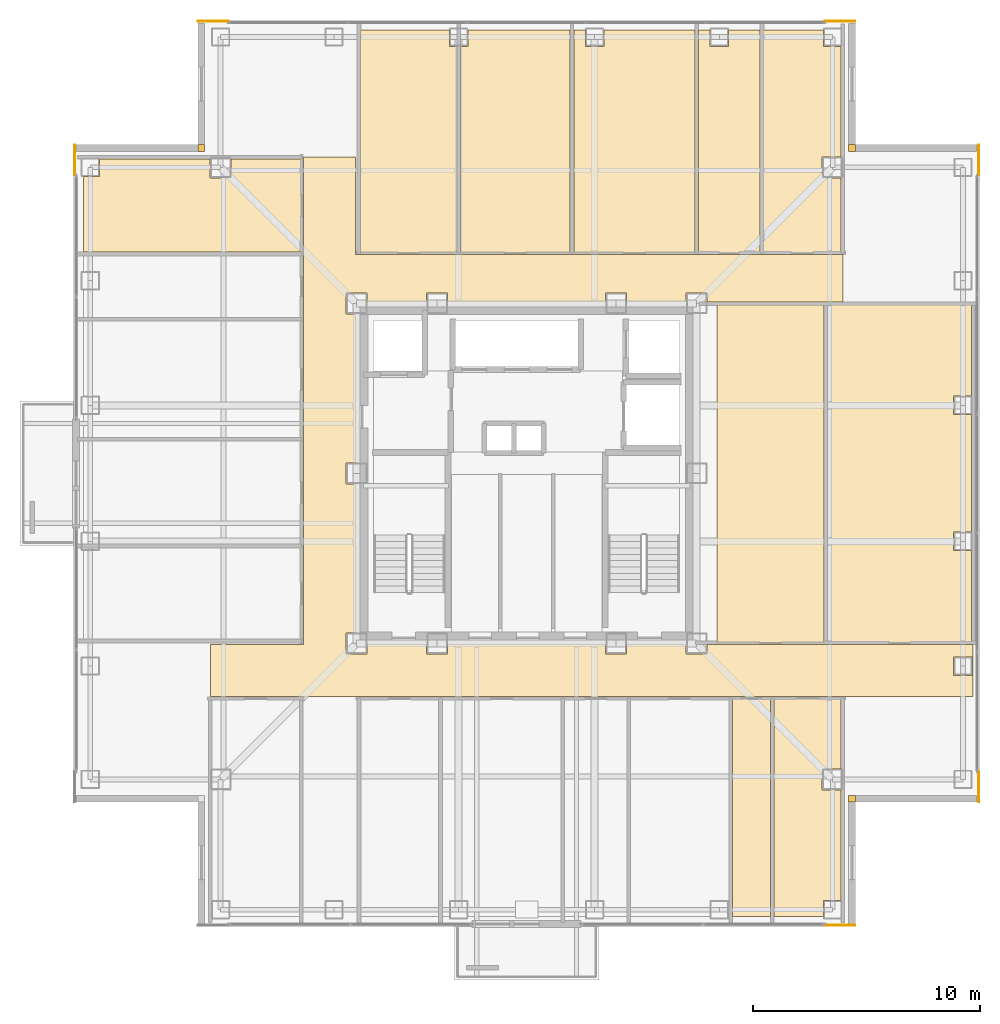
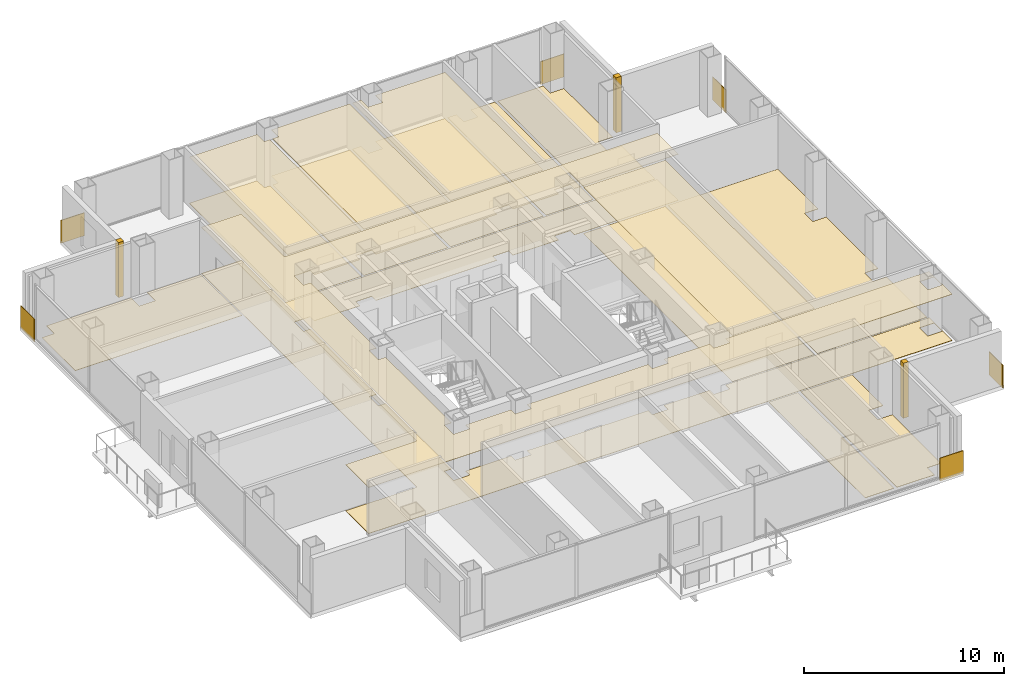
# One storey, part 16 of 16: 25 coverings.
"""IFC4 building model written with IfcOpenShell, lengths in metres."""

import ifcopenshell
import ifcopenshell.guid

model = None  # the IFC model being written
_history = None  # IfcOwnerHistory: only IFC2X3 demands one
_inside = {}  # id of a spatial element -> (the spatial element, [elements in it])
_under = {}  # id of a project, library or spatial element -> (it, [spatial elements below it])
_declared = {}  # id of a project -> (the project, [libraries it declares])
_typed = {}  # id of a type object -> (the type object, [elements of that type])
_made_of = {}  # id of a material, layer set ... -> (it, [elements and type objects made of it])


def new_model(schema):
    """Start an empty IFC model of exactly this schema.

    Asked for "IFC4X3", IfcOpenShell would pick the latest addendum, in which some entities
    have other attributes; the version numbers below select the first issue.
    IFC2X3 requires an IfcOwnerHistory on every rooted entity: one is made here for all.
    """
    global model, _history
    if schema == "IFC4X3":
        model = ifcopenshell.file(schema_version=(4, 3, 0, 0))
    else:
        model = ifcopenshell.file(schema=schema)
    _inside.clear()
    _under.clear()
    _declared.clear()
    _typed.clear()
    _made_of.clear()
    _history = None
    if model.schema == "IFC2X3":
        org = make("IfcOrganization", Name="unknown")
        user = make(
            "IfcPersonAndOrganization",
            ThePerson=make("IfcPerson", FamilyName="unknown"),
            TheOrganization=org,
        )
        app = make(
            "IfcApplication",
            ApplicationDeveloper=org,
            Version="unknown",
            ApplicationFullName="unknown",
            ApplicationIdentifier="unknown",
        )
        _history = make(
            "IfcOwnerHistory",
            OwningUser=user,
            OwningApplication=app,
            ChangeAction="ADDED",
            CreationDate=0,
        )
    return model


def make(cls, **values):
    """One entity of the class cls with the attributes given. An attribute that is None is left unset."""
    return model.create_entity(
        cls, **{name: value for name, value in values.items() if value is not None}
    )


def rooted(cls, **values):
    """An entity with a GlobalId (a new one), such as an element, a storey or a relation."""
    return make(cls, GlobalId=ifcopenshell.guid.new(), OwnerHistory=_history, **values)


def si_unit(unit_type, name, prefix=None):
    """IfcSIUnit, for example si_unit("LENGTHUNIT", "METRE", prefix="MILLI")."""
    return make("IfcSIUnit", UnitType=unit_type, Prefix=prefix, Name=name)


def assignment(units):
    """IfcUnitAssignment: the units of a project."""
    return None if units is None else make("IfcUnitAssignment", Units=units)


def point(xyz):
    """IfcCartesianPoint."""
    return None if xyz is None else make("IfcCartesianPoint", Coordinates=xyz)


def direction(xyz):
    """IfcDirection."""
    return None if xyz is None else make("IfcDirection", DirectionRatios=xyz)


def frame(location, z_axis=None, x_axis=None):
    """IfcAxis2Placement3D, a coordinate frame: its origin and axes. An axis left out is left unset."""
    return make(
        "IfcAxis2Placement3D",
        Location=point(location),
        Axis=direction(z_axis),
        RefDirection=direction(x_axis),
    )


def frame_2d(location, x_axis=None):
    """IfcAxis2Placement2D, a coordinate frame in the plane: its origin and x axis."""
    return make(
        "IfcAxis2Placement2D", Location=point(location), RefDirection=direction(x_axis)
    )


def origin():
    """The frame at (0, 0, 0) with its axes left unset."""
    return frame((0.0, 0.0, 0.0))


def place(relative_to, where):
    """IfcLocalPlacement: puts the frame where relative to a parent placement (None: the world)."""
    return make(
        "IfcLocalPlacement", PlacementRelTo=relative_to, RelativePlacement=where
    )


def context(
    kind, dimensions, precision=None, world=None, true_north=None, identifier=None
):
    """IfcGeometricRepresentationContext, for example the 3D "Model" context."""
    return make(
        "IfcGeometricRepresentationContext",
        ContextIdentifier=identifier,
        ContextType=kind,
        CoordinateSpaceDimension=dimensions,
        Precision=precision,
        WorldCoordinateSystem=world,
        TrueNorth=true_north,
    )


def subcontext(parent, identifier, kind, view, scale=None):
    """IfcGeometricRepresentationSubContext, for example "Body" below "Model"."""
    return make(
        "IfcGeometricRepresentationSubContext",
        ContextIdentifier=identifier,
        ContextType=kind,
        ParentContext=parent,
        TargetScale=scale,
        TargetView=view,
    )


def project(units=None, contexts=None):
    """IfcProject with its units and contexts."""
    return rooted(
        "IfcProject",
        Name="project",
        RepresentationContexts=contexts,
        UnitsInContext=assignment(units),
    )


def spatial(cls, under=None, at=None, **own):
    """A site, building, storey or space (cls), placed at a placement, below another one or the project."""
    s = rooted(cls, ObjectPlacement=at, **own)
    if under is not None:
        _under.setdefault(under.id(), (under, []))[1].append(s)
    return s


def polyline(points):
    """IfcPolyline through the points."""
    return make("IfcPolyline", Points=[point(p) for p in points])


def profile(cls, at=None, kind="AREA", **sizes):
    """A parametric profile (cls). Its sizes go by their IFC names, for example OverallWidth=200.0."""
    return make(cls, ProfileType=kind, Position=at, **sizes)


def rectangle(**sizes):
    """IfcRectangleProfileDef."""
    return profile("IfcRectangleProfileDef", **sizes)


def outline(outer, holes=None, kind="AREA"):
    """IfcArbitraryClosedProfileDef: a profile drawn as a closed curve; with holes, ...WithVoids."""
    if holes is None:
        return make("IfcArbitraryClosedProfileDef", ProfileType=kind, OuterCurve=outer)
    return make(
        "IfcArbitraryProfileDefWithVoids",
        ProfileType=kind,
        OuterCurve=outer,
        InnerCurves=holes,
    )


def extrude(swept, where, along, depth):
    """IfcExtrudedAreaSolid: the profile swept, set in the frame where, extruded along a direction by depth."""
    return make(
        "IfcExtrudedAreaSolid",
        SweptArea=swept,
        Position=where,
        ExtrudedDirection=direction(along),
        Depth=depth,
    )


def shape(context_of_items, identifier, shape_type, items):
    """IfcShapeRepresentation: the items that make up one representation, for example the "Body"."""
    return make(
        "IfcShapeRepresentation",
        ContextOfItems=context_of_items,
        RepresentationIdentifier=identifier,
        RepresentationType=shape_type,
        Items=items,
    )


def material(Name=None, Category=None):
    """IfcMaterial."""
    return make("IfcMaterial", Name=Name, Category=Category)


def layer(
    of_material, thickness, ventilated=None, Name=None, Category=None, Priority=None
):
    """IfcMaterialLayer: one layer of a wall or slab, of a material (None: an air gap)."""
    return make(
        "IfcMaterialLayer",
        Material=of_material,
        LayerThickness=thickness,
        IsVentilated=ventilated,
        Name=Name,
        Category=Category,
        Priority=Priority,
    )


def layer_set(layers, Name=None):
    """IfcMaterialLayerSet."""
    return make("IfcMaterialLayerSet", MaterialLayers=layers, LayerSetName=Name)


def made_of(thing, what):
    """Note that an element or type object is made of a material, layer set ...; save() writes the relation."""
    if what is not None:
        _made_of.setdefault(what.id(), (what, []))[1].append(thing)
    return thing


def type_object(cls, material=None, **own):
    """A type object (cls), such as IfcWallType, which elements share."""
    return made_of(rooted(cls, **own), material)


def element(
    cls,
    number,
    at=None,
    inside=None,
    cuts=None,
    type_object=None,
    material=None,
    context=None,
    identifier="Body",
    shape_type=None,
    held_by="IfcProductDefinitionShape",
    body=None,
    shapes=None,
    **own,
):
    """One element of the class cls, such as IfcWall. Its Tag is "e" and its number.

    at: its placement. inside: the storey or other place that contains it. cuts: it is an
    opening in that element (IfcRelVoidsElement). A single representation is given by context,
    identifier, shape_type and body (its items); several are given by shapes. held_by: the class
    of the entity that holds the representations. save() writes the other relations.
    """
    e = rooted(cls, Tag="e%d" % number, ObjectPlacement=at, **own)
    if body is not None:
        shapes = [shape(context, identifier, shape_type, body)]
    if shapes is not None:
        e.Representation = make(held_by, Representations=shapes)
    if inside is not None:
        _inside.setdefault(inside.id(), (inside, []))[1].append(e)
    if cuts is not None:
        rooted(
            "IfcRelVoidsElement", RelatingBuildingElement=cuts, RelatedOpeningElement=e
        )
    if type_object is not None:
        _typed.setdefault(type_object.id(), (type_object, []))[1].append(e)
    return made_of(e, material)


def aggregate(whole, parts):
    """IfcRelAggregates: a whole, such as a stair, and the parts it consists of."""
    return rooted("IfcRelAggregates", RelatingObject=whole, RelatedObjects=parts)


def save(model, path):
    """Write the relations noted so far, then the file.

    IfcRelAggregates (storeys below a building ...), IfcRelContainedInSpatialStructure (elements
    in a storey), IfcRelDefinesByType, IfcRelAssociatesMaterial and IfcRelDeclares: one each for
    every whole, place, type object, material and project.
    """
    for whole, parts in _under.values():
        aggregate(whole, parts)
    for where, things in _inside.values():
        rooted(
            "IfcRelContainedInSpatialStructure",
            RelatedElements=things,
            RelatingStructure=where,
        )
    for kind, things in _typed.values():
        rooted("IfcRelDefinesByType", RelatedObjects=things, RelatingType=kind)
    for what, things in _made_of.values():
        rooted("IfcRelAssociatesMaterial", RelatedObjects=things, RelatingMaterial=what)
    for by, libraries in _declared.values():
        rooted("IfcRelDeclares", RelatingContext=by, RelatedDefinitions=libraries)
    model.write(path)


model = new_model("IFC4")

# Units and contexts
model_context = context("Model", 3, precision=1e-05, world=origin(), true_north=direction((0.0, 1.0)))
body_context = subcontext(model_context, "Body", "Model", "MODEL_VIEW")
ifc_project = project(units=[si_unit("LENGTHUNIT", "METRE"), si_unit("AREAUNIT", "SQUARE_METRE"), si_unit("VOLUMEUNIT", "CUBIC_METRE"), si_unit("PLANEANGLEUNIT", "RADIAN"), si_unit("MASSUNIT", "GRAM", prefix="KILO")], contexts=[model_context])

# Site, building, storey
site_placement = place(None, origin())
site = spatial("IfcSite", under=ifc_project, at=site_placement, CompositionType="ELEMENT")
building_placement = place(site_placement, origin())
building = spatial("IfcBuilding", under=site, at=building_placement, Name="Trevonay Congress Spire", CompositionType="ELEMENT")
storey_placement = place(building_placement, frame((0.0, 0.0, 177.0)))
storey = spatial("IfcBuildingStorey", under=building, at=storey_placement, Name="L45", CompositionType="ELEMENT", Elevation=177.0)

# Coverings
ifc_material_1 = material(Name="Acoustic Mineral Fibre Board", Category="gypsum")
ifc_layer_1 = layer(ifc_material_1, 0.02490234375, Name="Acoustic Mineral Fibre Board")
ifc_layer_set_1 = layer_set([ifc_layer_1], Name="Acoustic Mineral Fibre Board")
covering_type_1 = type_object("IfcCoveringType", Name="COV-CEIL-ACOUSTIC", PredefinedType="CEILING", material=ifc_layer_set_1)
covering_1_placement = place(storey_placement, frame((0.0, 0.0, 2.81005859375)))
element("IfcCovering", 1, at=covering_1_placement, inside=storey, type_object=covering_type_1, Name="L45 Cruciform Boulevard Corridor acoustic suspended ceiling", PredefinedType="CEILING", context=body_context, shape_type="SweptSolid", body=[
    extrude(outline(polyline([(19.699951171875, -7.550048828125), (19.699951171875, -9.85009765625), (-13.949951171875, -9.85009765625), (-13.949951171875, -7.550048828125), (-9.85009765625, -7.550048828125), (-9.85009765625, 13.949951171875), (-7.550048828125, 13.949951171875), (-7.550048828125, 9.64990234375), (13.949951171875, 9.64990234375), (13.949951171875, 7.550048828125), (7.9599609375, 7.550048828125), (7.9599609375, 7.9599609375), (7.0400390625, 7.9599609375), (7.0400390625, 7.550048828125), (4.409912109375, 7.550048828125), (4.409912109375, 7.9599609375), (3.489990234375, 7.9599609375), (3.489990234375, 7.550048828125), (-3.489990234375, 7.550048828125), (-3.489990234375, 7.9599609375), (-4.409912109375, 7.9599609375), (-4.409912109375, 7.550048828125), (-7.0400390625, 7.550048828125), (-7.0400390625, 7.9599609375), (-7.9599609375, 7.9599609375), (-7.9599609375, 7.0400390625), (-7.550048828125, 7.0400390625), (-7.550048828125, 0.4599609375), (-7.9599609375, 0.4599609375), (-7.9599609375, -0.4599609375), (-7.550048828125, -0.4599609375), (-7.550048828125, -7.0400390625), (-7.9599609375, -7.0400390625), (-7.9599609375, -7.9599609375), (-7.0400390625, -7.9599609375), (-7.0400390625, -7.550048828125), (-4.409912109375, -7.550048828125), (-4.409912109375, -7.9599609375), (-3.489990234375, -7.9599609375), (-3.489990234375, -7.550048828125), (3.489990234375, -7.550048828125), (3.489990234375, -7.9599609375), (4.409912109375, -7.9599609375), (4.409912109375, -7.550048828125), (7.0400390625, -7.550048828125), (7.0400390625, -7.9599609375), (7.9599609375, -7.9599609375), (7.9599609375, -7.550048828125), (19.699951171875, -7.550048828125)]), holes=[polyline([(19.659912109375, -8.090087890625), (18.840087890625, -8.090087890625), (18.840087890625, -8.909912109375), (19.659912109375, -8.909912109375), (19.659912109375, -8.090087890625)])]), origin(), (0.0, 0.0, 1.0), 0.02490234375),
])
covering_2_placement = place(storey_placement, frame((0.0, 0.0, 2.81005859375)))
element("IfcCovering", 2, at=covering_2_placement, inside=storey, type_object=covering_type_1, Name="L45 Tax Counsel Office 8 acoustic suspended ceiling", PredefinedType="CEILING", context=body_context, shape_type="SweptSolid", body=[
    extrude(outline(polyline([(-3.080078125, 9.72998046875), (-7.320068359375, 9.72998046875), (-7.320068359375, 19.550048828125), (-3.409912109375, 19.550048828125), (-3.409912109375, 18.840087890625), (-3.080078125, 18.840087890625), (-3.080078125, 9.72998046875)])), origin(), (0.0, 0.0, 1.0), 0.02490234375),
])
covering_3_placement = place(storey_placement, frame((0.0, 0.0, 2.81005859375)))
element("IfcCovering", 3, at=covering_3_placement, inside=storey, type_object=covering_type_1, Name="L45 Compliance Office 9 acoustic suspended ceiling", PredefinedType="CEILING", context=body_context, shape_type="SweptSolid", body=[
    extrude(outline(polyline([(1.919921875, 19.550048828125), (1.919921875, 9.72998046875), (-2.919921875, 9.72998046875), (-2.919921875, 18.840087890625), (-2.590087890625, 18.840087890625), (-2.590087890625, 19.550048828125), (1.919921875, 19.550048828125)])), origin(), (0.0, 0.0, 1.0), 0.02490234375),
])
covering_4_placement = place(storey_placement, frame((0.0, 0.0, 2.81005859375)))
element("IfcCovering", 4, at=covering_4_placement, inside=storey, type_object=covering_type_1, Name="L45 Billing Office 10 acoustic suspended ceiling", PredefinedType="CEILING", context=body_context, shape_type="SweptSolid", body=[
    extrude(outline(polyline([(7.419921875, 19.550048828125), (7.419921875, 9.72998046875), (2.080078125, 9.72998046875), (2.080078125, 19.550048828125), (2.590087890625, 19.550048828125), (2.590087890625, 18.840087890625), (3.409912109375, 18.840087890625), (3.409912109375, 19.550048828125), (7.419921875, 19.550048828125)])), origin(), (0.0, 0.0, 1.0), 0.02490234375),
])
covering_5_placement = place(storey_placement, frame((0.0, 0.0, 2.81005859375)))
element("IfcCovering", 5, at=covering_5_placement, inside=storey, type_object=covering_type_1, Name="L45 Chambers Espresso Kitchen acoustic suspended ceiling", PredefinedType="CEILING", context=body_context, shape_type="SweptSolid", body=[
    extrude(outline(polyline([(8.39990234375, -7.47998046875), (13.1201171875, -7.47998046875), (13.1201171875, 7.419921875), (8.39990234375, 7.419921875), (8.39990234375, -7.47998046875)])), origin(), (0.0, 0.0, 1.0), 0.02490234375),
])
ifc_material_2 = material(Name="Polished Granite Floor Tile", Category="masonry")
ifc_layer_2 = layer(ifc_material_2, 0.02001953125, Name="Polished Granite Floor Tile")
ifc_layer_set_2 = layer_set([ifc_layer_2], Name="Polished Granite Floor Tile")
covering_type_2 = type_object("IfcCoveringType", Name="COV-FLOOR-STONE", PredefinedType="FLOORING", material=ifc_layer_set_2)
covering_6_placement = place(storey_placement, origin())
element("IfcCovering", 6, at=covering_6_placement, inside=storey, type_object=covering_type_2, Name="L45 Cruciform Boulevard Corridor floor finish", PredefinedType="FLOORING", context=body_context, shape_type="SweptSolid", body=[
    extrude(outline(polyline([(19.699951171875, -7.550048828125), (19.699951171875, -9.85009765625), (-13.949951171875, -9.85009765625), (-13.949951171875, -7.550048828125), (-9.85009765625, -7.550048828125), (-9.85009765625, 13.949951171875), (-7.550048828125, 13.949951171875), (-7.550048828125, 9.64990234375), (13.949951171875, 9.64990234375), (13.949951171875, 7.550048828125), (7.9599609375, 7.550048828125), (7.9599609375, 7.9599609375), (7.0400390625, 7.9599609375), (7.0400390625, 7.550048828125), (4.409912109375, 7.550048828125), (4.409912109375, 7.9599609375), (3.489990234375, 7.9599609375), (3.489990234375, 7.550048828125), (-3.489990234375, 7.550048828125), (-3.489990234375, 7.9599609375), (-4.409912109375, 7.9599609375), (-4.409912109375, 7.550048828125), (-7.0400390625, 7.550048828125), (-7.0400390625, 7.9599609375), (-7.9599609375, 7.9599609375), (-7.9599609375, 7.0400390625), (-7.550048828125, 7.0400390625), (-7.550048828125, 0.4599609375), (-7.9599609375, 0.4599609375), (-7.9599609375, -0.4599609375), (-7.550048828125, -0.4599609375), (-7.550048828125, -7.0400390625), (-7.9599609375, -7.0400390625), (-7.9599609375, -7.9599609375), (-7.0400390625, -7.9599609375), (-7.0400390625, -7.550048828125), (-4.409912109375, -7.550048828125), (-4.409912109375, -7.9599609375), (-3.489990234375, -7.9599609375), (-3.489990234375, -7.550048828125), (3.489990234375, -7.550048828125), (3.489990234375, -7.9599609375), (4.409912109375, -7.9599609375), (4.409912109375, -7.550048828125), (7.0400390625, -7.550048828125), (7.0400390625, -7.9599609375), (7.9599609375, -7.9599609375), (7.9599609375, -7.550048828125), (19.699951171875, -7.550048828125)]), holes=[polyline([(19.659912109375, -8.090087890625), (18.840087890625, -8.090087890625), (18.840087890625, -8.909912109375), (19.659912109375, -8.909912109375), (19.659912109375, -8.090087890625)])]), origin(), (0.0, 0.0, 1.0), 0.02001953125),
])
covering_7_placement = place(storey_placement, origin())
element("IfcCovering", 7, at=covering_7_placement, inside=storey, type_object=covering_type_2, Name="L45 Accessible WC floor finish", PredefinedType="FLOORING", context=body_context, shape_type="SweptSolid", body=[
    extrude(outline(polyline([(9.080078125, -19.550048828125), (10.75, -19.550048828125), (10.75, -9.929931640625), (9.080078125, -9.929931640625), (9.080078125, -19.550048828125)])), origin(), (0.0, 0.0, 1.0), 0.02001953125),
])
covering_8_placement = place(storey_placement, origin())
element("IfcCovering", 8, at=covering_8_placement, inside=storey, type_object=covering_type_2, Name="L45 Floor Supplies and Copy Room floor finish", PredefinedType="FLOORING", context=body_context, shape_type="SweptSolid", body=[
    extrude(outline(polyline([(10.909912109375, -19.550048828125), (10.909912109375, -9.929931640625), (13.8701171875, -9.929931640625), (13.8701171875, -13.0400390625), (13.0400390625, -13.0400390625), (13.0400390625, -13.9599609375), (13.8701171875, -13.9599609375), (13.8701171875, -18.840087890625), (13.090087890625, -18.840087890625), (13.090087890625, -19.550048828125), (10.909912109375, -19.550048828125)])), origin(), (0.0, 0.0, 1.0), 0.02001953125),
])
covering_9_placement = place(storey_placement, origin())
element("IfcCovering", 9, at=covering_9_placement, inside=storey, type_object=covering_type_2, Name="L45 Floor Supplies and Copy Room floor finish", PredefinedType="FLOORING", context=body_context, shape_type="SweptSolid", body=[
    extrude(outline(polyline([(-9.929931640625, 13.8701171875), (-9.929931640625, 9.760009765625), (-19.550048828125, 9.760009765625), (-19.550048828125, 13.090087890625), (-18.840087890625, 13.090087890625), (-18.840087890625, 13.8701171875), (-13.9599609375, 13.8701171875), (-13.9599609375, 13.0400390625), (-13.0400390625, 13.0400390625), (-13.0400390625, 13.8701171875), (-9.929931640625, 13.8701171875)])), origin(), (0.0, 0.0, 1.0), 0.02001953125),
])
covering_10_placement = place(storey_placement, origin())
element("IfcCovering", 10, at=covering_10_placement, inside=storey, type_object=covering_type_2, Name="L45 Female Restroom WC floor finish", PredefinedType="FLOORING", context=body_context, shape_type="SweptSolid", body=[
    extrude(outline(polyline([(10.300048828125, 19.550048828125), (10.300048828125, 9.72998046875), (7.580078125, 9.72998046875), (7.580078125, 19.550048828125), (8.090087890625, 19.550048828125), (8.090087890625, 18.840087890625), (8.909912109375, 18.840087890625), (8.909912109375, 19.550048828125), (10.300048828125, 19.550048828125)])), origin(), (0.0, 0.0, 1.0), 0.02001953125),
])
covering_11_placement = place(storey_placement, origin())
element("IfcCovering", 11, at=covering_11_placement, inside=storey, type_object=covering_type_2, Name="L45 Floor Supplies and Copy Room floor finish", PredefinedType="FLOORING", context=body_context, shape_type="SweptSolid", body=[
    extrude(outline(polyline([(13.8701171875, 9.72998046875), (10.4599609375, 9.72998046875), (10.4599609375, 19.550048828125), (13.090087890625, 19.550048828125), (13.090087890625, 18.840087890625), (13.8701171875, 18.840087890625), (13.8701171875, 13.9599609375), (13.0400390625, 13.9599609375), (13.0400390625, 13.0400390625), (13.8701171875, 13.0400390625), (13.8701171875, 9.72998046875)])), origin(), (0.0, 0.0, 1.0), 0.02001953125),
])
covering_12_placement = place(storey_placement, origin())
element("IfcCovering", 12, at=covering_12_placement, inside=storey, type_object=covering_type_2, Name="L45 Chambers Espresso Kitchen floor finish", PredefinedType="FLOORING", context=body_context, shape_type="SweptSolid", body=[
    extrude(outline(polyline([(8.39990234375, -7.47998046875), (13.1201171875, -7.47998046875), (13.1201171875, 7.419921875), (8.39990234375, 7.419921875), (8.39990234375, -7.47998046875)])), origin(), (0.0, 0.0, 1.0), 0.02001953125),
])
covering_13_placement = place(storey_placement, origin())
element("IfcCovering", 13, at=covering_13_placement, inside=storey, type_object=covering_type_2, Name="L45 Law Copy Room floor finish", PredefinedType="FLOORING", context=body_context, shape_type="SweptSolid", body=[
    extrude(outline(polyline([(19.6201171875, -7.47998046875), (13.280029296875, -7.47998046875), (13.280029296875, 7.419921875), (19.6201171875, 7.419921875), (19.6201171875, 3.409912109375), (18.840087890625, 3.409912109375), (18.840087890625, 2.590087890625), (19.6201171875, 2.590087890625), (19.6201171875, -2.590087890625), (18.840087890625, -2.590087890625), (18.840087890625, -3.409912109375), (19.6201171875, -3.409912109375), (19.6201171875, -7.47998046875)])), origin(), (0.0, 0.0, 1.0), 0.02001953125),
])
ifc_material_3 = material(Name="Engineered Oak Flooring", Category="wood")
ifc_layer_3 = layer(ifc_material_3, 0.01806640625, Name="Engineered Oak Flooring")
ifc_layer_set_3 = layer_set([ifc_layer_3], Name="Engineered Oak Flooring")
covering_type_3 = type_object("IfcCoveringType", Name="COV-FLOOR-TIMBER", PredefinedType="FLOORING", material=ifc_layer_set_3)
covering_14_placement = place(storey_placement, origin())
element("IfcCovering", 14, at=covering_14_placement, inside=storey, type_object=covering_type_3, Name="L45 Tax Counsel Office 8 floor finish", PredefinedType="FLOORING", context=body_context, shape_type="SweptSolid", body=[
    extrude(outline(polyline([(-3.080078125, 9.72998046875), (-7.320068359375, 9.72998046875), (-7.320068359375, 19.550048828125), (-3.409912109375, 19.550048828125), (-3.409912109375, 18.840087890625), (-3.080078125, 18.840087890625), (-3.080078125, 9.72998046875)])), origin(), (0.0, 0.0, 1.0), 0.01806640625),
])
covering_15_placement = place(storey_placement, origin())
element("IfcCovering", 15, at=covering_15_placement, inside=storey, type_object=covering_type_3, Name="L45 Compliance Office 9 floor finish", PredefinedType="FLOORING", context=body_context, shape_type="SweptSolid", body=[
    extrude(outline(polyline([(1.919921875, 19.550048828125), (1.919921875, 9.72998046875), (-2.919921875, 9.72998046875), (-2.919921875, 18.840087890625), (-2.590087890625, 18.840087890625), (-2.590087890625, 19.550048828125), (1.919921875, 19.550048828125)])), origin(), (0.0, 0.0, 1.0), 0.01806640625),
])
covering_16_placement = place(storey_placement, origin())
element("IfcCovering", 16, at=covering_16_placement, inside=storey, type_object=covering_type_3, Name="L45 Billing Office 10 floor finish", PredefinedType="FLOORING", context=body_context, shape_type="SweptSolid", body=[
    extrude(outline(polyline([(7.419921875, 19.550048828125), (7.419921875, 9.72998046875), (2.080078125, 9.72998046875), (2.080078125, 19.550048828125), (2.590087890625, 19.550048828125), (2.590087890625, 18.840087890625), (3.409912109375, 18.840087890625), (3.409912109375, 19.550048828125), (7.419921875, 19.550048828125)])), origin(), (0.0, 0.0, 1.0), 0.01806640625),
])
ifc_material_4 = material(Name="Pale Anodised Aluminium EN AW-6063-T6", Category="aluminium")
ifc_layer_4 = layer(ifc_material_4, 0.0400390625, Name="Pale Anodised Aluminium EN AW-6063-T6")
ifc_layer_set_4 = layer_set([ifc_layer_4], Name="Pale Anodised Aluminium EN AW-6063-T6")
covering_type_4 = type_object("IfcCoveringType", Name="COV-SPANDREL-PALE-METAL", PredefinedType="CLADDING", material=ifc_layer_set_4)
covering_17_placement = place(storey_placement, origin())
element("IfcCovering", 17, at=covering_17_placement, inside=storey, type_object=covering_type_4, Name="L45 SE re-entrant notch corner closure trim", PredefinedType="CLADDING", context=body_context, shape_type="SweptSolid", body=[
    extrude(outline(polyline([(14.199951171875, -14.5), (14.5, -14.5), (14.5, -14.199951171875), (14.199951171875, -14.199951171875), (14.199951171875, -14.5)])), origin(), (0.0, 0.0, 1.0), 3.360107421875),
])
for number, where, z_axis, x_axis, name in (
    (18, (19.93994140625, -13.14990234375, -0.14990234375), (0.0, 0.0, 1.0), (0.0, -1.0, 0.0), "L45 SE corner pier spandrel cladding 1"),
    (19, (13.14990234375, -19.93994140625, -0.14990234375), (0.0, 0.0, 1.0), (1.0, 0.0, 0.0), "L45 SE corner pier spandrel cladding 2"),
):
    element("IfcCovering", number, at=place(storey_placement, frame(where, z_axis=z_axis, x_axis=x_axis)), inside=storey, type_object=covering_type_4, Name=name, PredefinedType="CLADDING", context=body_context, shape_type="SweptSolid", body=[
        extrude(rectangle(XDim=1.35009765625, YDim=0.0400390625, at=frame_2d((0.675048828125, 0.0))), origin(), (0.0, 0.0, 1.0), 1.39990234375),
    ])
covering_18_placement = place(storey_placement, origin())
element("IfcCovering", 20, at=covering_18_placement, inside=storey, type_object=covering_type_4, Name="L45 NE re-entrant notch corner closure trim", PredefinedType="CLADDING", context=body_context, shape_type="SweptSolid", body=[
    extrude(outline(polyline([(14.199951171875, 14.199951171875), (14.5, 14.199951171875), (14.5, 14.5), (14.199951171875, 14.5), (14.199951171875, 14.199951171875)])), origin(), (0.0, 0.0, 1.0), 3.360107421875),
])
for number, where, z_axis, x_axis, name in (
    (21, (19.93994140625, 13.14990234375, -0.14990234375), (0.0, 0.0, 1.0), (0.0, 1.0, 0.0), "L45 NE corner pier spandrel cladding 1"),
    (22, (13.14990234375, 19.93994140625, -0.14990234375), (0.0, 0.0, 1.0), (1.0, 0.0, 0.0), "L45 NE corner pier spandrel cladding 2"),
):
    element("IfcCovering", number, at=place(storey_placement, frame(where, z_axis=z_axis, x_axis=x_axis)), inside=storey, type_object=covering_type_4, Name=name, PredefinedType="CLADDING", context=body_context, shape_type="SweptSolid", body=[
        extrude(rectangle(XDim=1.35009765625, YDim=0.0400390625, at=frame_2d((0.675048828125, 0.0))), origin(), (0.0, 0.0, 1.0), 1.39990234375),
    ])
covering_19_placement = place(storey_placement, origin())
element("IfcCovering", 23, at=covering_19_placement, inside=storey, type_object=covering_type_4, Name="L45 NW re-entrant notch corner closure trim", PredefinedType="CLADDING", context=body_context, shape_type="SweptSolid", body=[
    extrude(outline(polyline([(-14.5, 14.199951171875), (-14.199951171875, 14.199951171875), (-14.199951171875, 14.5), (-14.5, 14.5), (-14.5, 14.199951171875)])), origin(), (0.0, 0.0, 1.0), 3.360107421875),
])
for number, where, z_axis, x_axis, name in (
    (24, (-19.93994140625, 13.14990234375, -0.14990234375), (0.0, 0.0, 1.0), (0.0, 1.0, 0.0), "L45 NW corner pier spandrel cladding 1"),
    (25, (-13.14990234375, 19.93994140625, -0.14990234375), (0.0, 0.0, 1.0), (-1.0, 0.0, 0.0), "L45 NW corner pier spandrel cladding 2"),
):
    element("IfcCovering", number, at=place(storey_placement, frame(where, z_axis=z_axis, x_axis=x_axis)), inside=storey, type_object=covering_type_4, Name=name, PredefinedType="CLADDING", context=body_context, shape_type="SweptSolid", body=[
        extrude(rectangle(XDim=1.35009765625, YDim=0.0400390625, at=frame_2d((0.675048828125, 0.0))), origin(), (0.0, 0.0, 1.0), 1.39990234375),
    ])

save(model, "model.ifc")
